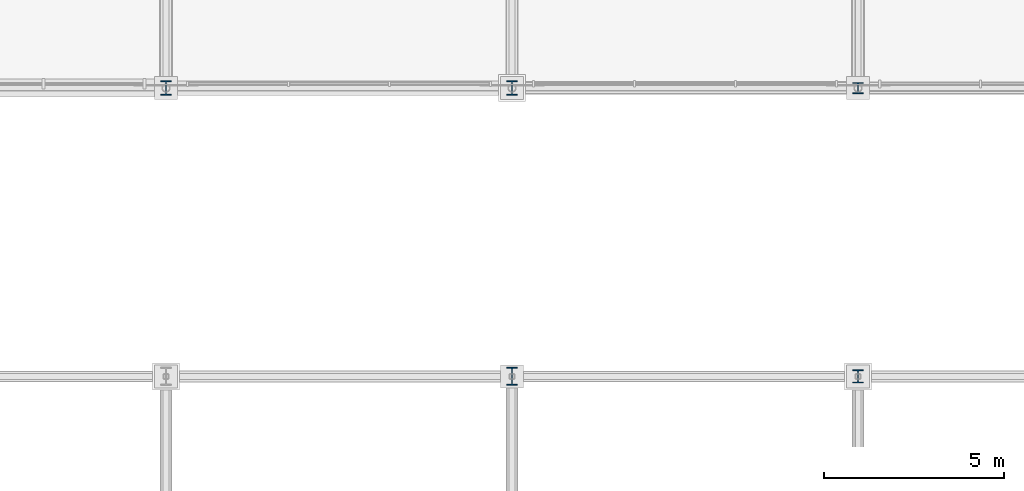
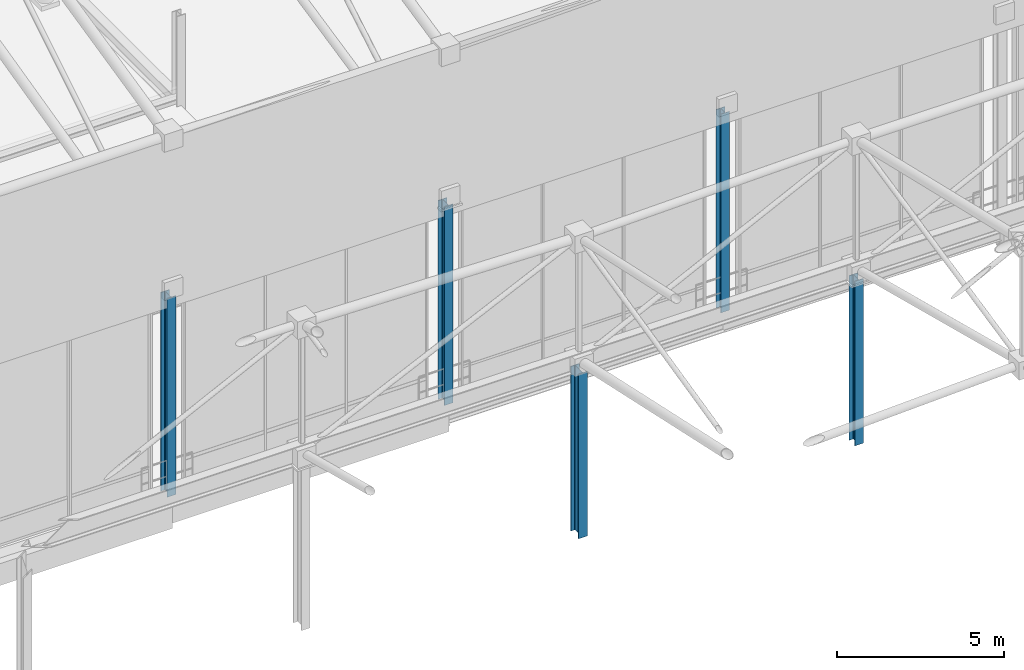
# One storey, part 16 of 193: 5 columns.
"""IFC4 building model written with IfcOpenShell, lengths in metres."""

import ifcopenshell
import ifcopenshell.guid

model = None  # the IFC model being written
_history = None  # IfcOwnerHistory: only IFC2X3 demands one
_inside = {}  # id of a spatial element -> (the spatial element, [elements in it])
_under = {}  # id of a project, library or spatial element -> (it, [spatial elements below it])
_declared = {}  # id of a project -> (the project, [libraries it declares])
_typed = {}  # id of a type object -> (the type object, [elements of that type])
_made_of = {}  # id of a material, layer set ... -> (it, [elements and type objects made of it])


def new_model(schema):
    """Start an empty IFC model of exactly this schema.

    Asked for "IFC4X3", IfcOpenShell would pick the latest addendum, in which some entities
    have other attributes; the version numbers below select the first issue.
    IFC2X3 requires an IfcOwnerHistory on every rooted entity: one is made here for all.
    """
    global model, _history
    if schema == "IFC4X3":
        model = ifcopenshell.file(schema_version=(4, 3, 0, 0))
    else:
        model = ifcopenshell.file(schema=schema)
    _inside.clear()
    _under.clear()
    _declared.clear()
    _typed.clear()
    _made_of.clear()
    _history = None
    if model.schema == "IFC2X3":
        org = make("IfcOrganization", Name="unknown")
        user = make(
            "IfcPersonAndOrganization",
            ThePerson=make("IfcPerson", FamilyName="unknown"),
            TheOrganization=org,
        )
        app = make(
            "IfcApplication",
            ApplicationDeveloper=org,
            Version="unknown",
            ApplicationFullName="unknown",
            ApplicationIdentifier="unknown",
        )
        _history = make(
            "IfcOwnerHistory",
            OwningUser=user,
            OwningApplication=app,
            ChangeAction="ADDED",
            CreationDate=0,
        )
    return model


def make(cls, **values):
    """One entity of the class cls with the attributes given. An attribute that is None is left unset."""
    return model.create_entity(
        cls, **{name: value for name, value in values.items() if value is not None}
    )


def rooted(cls, **values):
    """An entity with a GlobalId (a new one), such as an element, a storey or a relation."""
    return make(cls, GlobalId=ifcopenshell.guid.new(), OwnerHistory=_history, **values)


def si_unit(unit_type, name, prefix=None):
    """IfcSIUnit, for example si_unit("LENGTHUNIT", "METRE", prefix="MILLI")."""
    return make("IfcSIUnit", UnitType=unit_type, Prefix=prefix, Name=name)


def assignment(units):
    """IfcUnitAssignment: the units of a project."""
    return None if units is None else make("IfcUnitAssignment", Units=units)


def point(xyz):
    """IfcCartesianPoint."""
    return None if xyz is None else make("IfcCartesianPoint", Coordinates=xyz)


def direction(xyz):
    """IfcDirection."""
    return None if xyz is None else make("IfcDirection", DirectionRatios=xyz)


def frame(location, z_axis=None, x_axis=None):
    """IfcAxis2Placement3D, a coordinate frame: its origin and axes. An axis left out is left unset."""
    return make(
        "IfcAxis2Placement3D",
        Location=point(location),
        Axis=direction(z_axis),
        RefDirection=direction(x_axis),
    )


def frame_2d(location, x_axis=None):
    """IfcAxis2Placement2D, a coordinate frame in the plane: its origin and x axis."""
    return make(
        "IfcAxis2Placement2D", Location=point(location), RefDirection=direction(x_axis)
    )


def origin():
    """The frame at (0, 0, 0) with its axes left unset."""
    return frame((0.0, 0.0, 0.0))


def origin_2d():
    """The frame at (0, 0) in the plane with its x axis left unset."""
    return frame_2d((0.0, 0.0))


def place(relative_to, where):
    """IfcLocalPlacement: puts the frame where relative to a parent placement (None: the world)."""
    return make(
        "IfcLocalPlacement", PlacementRelTo=relative_to, RelativePlacement=where
    )


def context(
    kind, dimensions, precision=None, world=None, true_north=None, identifier=None
):
    """IfcGeometricRepresentationContext, for example the 3D "Model" context."""
    return make(
        "IfcGeometricRepresentationContext",
        ContextIdentifier=identifier,
        ContextType=kind,
        CoordinateSpaceDimension=dimensions,
        Precision=precision,
        WorldCoordinateSystem=world,
        TrueNorth=true_north,
    )


def subcontext(parent, identifier, kind, view, scale=None):
    """IfcGeometricRepresentationSubContext, for example "Body" below "Model"."""
    return make(
        "IfcGeometricRepresentationSubContext",
        ContextIdentifier=identifier,
        ContextType=kind,
        ParentContext=parent,
        TargetScale=scale,
        TargetView=view,
    )


def project(units=None, contexts=None):
    """IfcProject with its units and contexts."""
    return rooted(
        "IfcProject",
        Name="project",
        RepresentationContexts=contexts,
        UnitsInContext=assignment(units),
    )


def spatial(cls, under=None, at=None, **own):
    """A site, building, storey or space (cls), placed at a placement, below another one or the project."""
    s = rooted(cls, ObjectPlacement=at, **own)
    if under is not None:
        _under.setdefault(under.id(), (under, []))[1].append(s)
    return s


def profile(cls, at=None, kind="AREA", **sizes):
    """A parametric profile (cls). Its sizes go by their IFC names, for example OverallWidth=200.0."""
    return make(cls, ProfileType=kind, Position=at, **sizes)


def i_section(**sizes):
    """IfcIShapeProfileDef."""
    return profile("IfcIShapeProfileDef", **sizes)


def extrude(swept, where, along, depth):
    """IfcExtrudedAreaSolid: the profile swept, set in the frame where, extruded along a direction by depth."""
    return make(
        "IfcExtrudedAreaSolid",
        SweptArea=swept,
        Position=where,
        ExtrudedDirection=direction(along),
        Depth=depth,
    )


def shape(context_of_items, identifier, shape_type, items):
    """IfcShapeRepresentation: the items that make up one representation, for example the "Body"."""
    return make(
        "IfcShapeRepresentation",
        ContextOfItems=context_of_items,
        RepresentationIdentifier=identifier,
        RepresentationType=shape_type,
        Items=items,
    )


def material(Name=None, Category=None):
    """IfcMaterial."""
    return make("IfcMaterial", Name=Name, Category=Category)


def material_profile(
    of_material, cross_section, Name=None, Category=None, Priority=None
):
    """IfcMaterialProfile: a cross section and its material."""
    return make(
        "IfcMaterialProfile",
        Name=Name,
        Material=of_material,
        Profile=cross_section,
        Priority=Priority,
        Category=Category,
    )


def profile_set(profiles, Name=None, composite=None):
    """IfcMaterialProfileSet."""
    return make(
        "IfcMaterialProfileSet",
        Name=Name,
        MaterialProfiles=profiles,
        CompositeProfile=composite,
    )


def made_of(thing, what):
    """Note that an element or type object is made of a material, layer set ...; save() writes the relation."""
    if what is not None:
        _made_of.setdefault(what.id(), (what, []))[1].append(thing)
    return thing


def type_object(cls, material=None, **own):
    """A type object (cls), such as IfcWallType, which elements share."""
    return made_of(rooted(cls, **own), material)


def element(
    cls,
    number,
    at=None,
    inside=None,
    cuts=None,
    type_object=None,
    material=None,
    context=None,
    identifier="Body",
    shape_type=None,
    held_by="IfcProductDefinitionShape",
    body=None,
    shapes=None,
    **own,
):
    """One element of the class cls, such as IfcWall. Its Tag is "e" and its number.

    at: its placement. inside: the storey or other place that contains it. cuts: it is an
    opening in that element (IfcRelVoidsElement). A single representation is given by context,
    identifier, shape_type and body (its items); several are given by shapes. held_by: the class
    of the entity that holds the representations. save() writes the other relations.
    """
    e = rooted(cls, Tag="e%d" % number, ObjectPlacement=at, **own)
    if body is not None:
        shapes = [shape(context, identifier, shape_type, body)]
    if shapes is not None:
        e.Representation = make(held_by, Representations=shapes)
    if inside is not None:
        _inside.setdefault(inside.id(), (inside, []))[1].append(e)
    if cuts is not None:
        rooted(
            "IfcRelVoidsElement", RelatingBuildingElement=cuts, RelatedOpeningElement=e
        )
    if type_object is not None:
        _typed.setdefault(type_object.id(), (type_object, []))[1].append(e)
    return made_of(e, material)


def aggregate(whole, parts):
    """IfcRelAggregates: a whole, such as a stair, and the parts it consists of."""
    return rooted("IfcRelAggregates", RelatingObject=whole, RelatedObjects=parts)


def save(model, path):
    """Write the relations noted so far, then the file.

    IfcRelAggregates (storeys below a building ...), IfcRelContainedInSpatialStructure (elements
    in a storey), IfcRelDefinesByType, IfcRelAssociatesMaterial and IfcRelDeclares: one each for
    every whole, place, type object, material and project.
    """
    for whole, parts in _under.values():
        aggregate(whole, parts)
    for where, things in _inside.values():
        rooted(
            "IfcRelContainedInSpatialStructure",
            RelatedElements=things,
            RelatingStructure=where,
        )
    for kind, things in _typed.values():
        rooted("IfcRelDefinesByType", RelatedObjects=things, RelatingType=kind)
    for what, things in _made_of.values():
        rooted("IfcRelAssociatesMaterial", RelatedObjects=things, RelatingMaterial=what)
    for by, libraries in _declared.values():
        rooted("IfcRelDeclares", RelatingContext=by, RelatedDefinitions=libraries)
    model.write(path)


model = new_model("IFC4")

# Units and contexts
model_context = context("Model", 3, precision=1e-05, world=origin(), true_north=direction((0.0, 1.0)))
body_context = subcontext(model_context, "Body", "Model", "MODEL_VIEW")
ifc_project = project(units=[si_unit("LENGTHUNIT", "METRE"), si_unit("AREAUNIT", "SQUARE_METRE"), si_unit("VOLUMEUNIT", "CUBIC_METRE"), si_unit("PLANEANGLEUNIT", "RADIAN"), si_unit("MASSUNIT", "GRAM", prefix="KILO")], contexts=[model_context])

# Site, building, storey
site_placement = place(None, origin())
site = spatial("IfcSite", under=ifc_project, at=site_placement, CompositionType="ELEMENT")
building_placement = place(site_placement, origin())
building = spatial("IfcBuilding", under=site, at=building_placement, Name="Danafjord Basin Convention Centre", CompositionType="ELEMENT")
storey_placement = place(building_placement, frame((0.0, 0.0, 11.39990234375)))
storey = spatial("IfcBuildingStorey", under=building, at=storey_placement, Name="L02", CompositionType="ELEMENT", Elevation=11.39990234375)

# Columns
ifc_material = material(Name="Steel S355", Category="steel")
ifc_material_profile_1 = material_profile(ifc_material, i_section(OverallWidth=0.300048828125, OverallDepth=0.300048828125, WebThickness=0.010986328125, FlangeThickness=0.01904296875, FilletRadius=0.027099609375, at=origin_2d()), Name="HEB 300")
ifc_profile_set_1 = profile_set([ifc_material_profile_1], Name="Steel S355")
column_type_1 = type_object("IfcColumnType", Name="COL-C-HEB300", PredefinedType="COLUMN", material=ifc_profile_set_1)
column_1_placement = place(storey_placement, frame((182.39990234375, 88.0, 0.0), z_axis=(0.0, 0.0, 1.0), x_axis=(1.0, 0.0, 0.0)))
element("IfcColumn", 1, at=column_1_placement, inside=storey, type_object=column_type_1, Name="L02 column C-HEB300 at (182.4, 88.0)", PredefinedType="COLUMN", context=body_context, shape_type="SweptSolid", body=[
    extrude(i_section(OverallWidth=0.300048828125, OverallDepth=0.300048828125, WebThickness=0.010986328125, FlangeThickness=0.01904296875, FilletRadius=0.027099609375, at=origin_2d()), origin(), (0.0, 0.0, 1.0), 7.27001953125),
])
ifc_material_profile_2 = material_profile(ifc_material, i_section(OverallWidth=0.300048828125, OverallDepth=0.360107421875, WebThickness=0.012451171875, FlangeThickness=0.0224609375, FilletRadius=0.027099609375, at=origin_2d()), Name="HEB 360")
ifc_profile_set_2 = profile_set([ifc_material_profile_2], Name="Steel S355")
column_type_2 = type_object("IfcColumnType", Name="COL-C-HEB360", PredefinedType="COLUMN", material=ifc_profile_set_2)
column_2_placement = place(storey_placement, frame((182.39990234375, 80.0, 0.0), z_axis=(0.0, 0.0, 1.0), x_axis=(1.0, 0.0, 0.0)))
element("IfcColumn", 2, at=column_2_placement, inside=storey, type_object=column_type_2, Name="L02 column C-HEB360 at (182.4, 80.0)", PredefinedType="COLUMN", context=body_context, shape_type="SweptSolid", body=[
    extrude(i_section(OverallWidth=0.300048828125, OverallDepth=0.360107421875, WebThickness=0.012451171875, FlangeThickness=0.0224609375, FilletRadius=0.027099609375, at=origin_2d()), origin(), (0.0, 0.0, 1.0), 6.02001953125),
])
ifc_material_profile_3 = material_profile(ifc_material, i_section(OverallWidth=0.300048828125, OverallDepth=0.39990234375, WebThickness=0.013427734375, FlangeThickness=0.02392578125, FilletRadius=0.027099609375, at=origin_2d()), Name="HEB 400")
ifc_profile_set_3 = profile_set([ifc_material_profile_3], Name="Steel S355")
column_type_3 = type_object("IfcColumnType", Name="COL-C-HEB400", PredefinedType="COLUMN", material=ifc_profile_set_3)
for number, where, z_axis, x_axis, name in (
    (3, (163.199951171875, 88.0, 0.0), (0.0, 0.0, 1.0), (1.0, 0.0, 0.0), "L02 column C-HEB400 at (163.2, 88.0)"),
    (4, (172.800048828125, 88.0, 0.0), (0.0, 0.0, 1.0), (1.0, 0.0, 0.0), "L02 column C-HEB400 at (172.8, 88.0)"),
):
    element("IfcColumn", number, at=place(storey_placement, frame(where, z_axis=z_axis, x_axis=x_axis)), inside=storey, type_object=column_type_3, Name=name, PredefinedType="COLUMN", context=body_context, shape_type="SweptSolid", body=[
        extrude(i_section(OverallWidth=0.300048828125, OverallDepth=0.39990234375, WebThickness=0.013427734375, FlangeThickness=0.02392578125, FilletRadius=0.027099609375, at=origin_2d()), origin(), (0.0, 0.0, 1.0), 7.27001953125),
    ])
ifc_material_profile_4 = material_profile(ifc_material, i_section(OverallWidth=0.300048828125, OverallDepth=0.5, WebThickness=0.014404296875, FlangeThickness=0.028076171875, FilletRadius=0.027099609375, at=origin_2d()), Name="HEB 500")
ifc_profile_set_4 = profile_set([ifc_material_profile_4], Name="Steel S355")
column_type_4 = type_object("IfcColumnType", Name="COL-C-HEB500", PredefinedType="COLUMN", material=ifc_profile_set_4)
column_3_placement = place(storey_placement, frame((172.800048828125, 80.0, 0.0), z_axis=(0.0, 0.0, 1.0), x_axis=(1.0, 0.0, 0.0)))
element("IfcColumn", 5, at=column_3_placement, inside=storey, type_object=column_type_4, Name="L02 column C-HEB500 at (172.8, 80.0)", PredefinedType="COLUMN", context=body_context, shape_type="SweptSolid", body=[
    extrude(i_section(OverallWidth=0.300048828125, OverallDepth=0.5, WebThickness=0.014404296875, FlangeThickness=0.028076171875, FilletRadius=0.027099609375, at=origin_2d()), origin(), (0.0, 0.0, 1.0), 6.02001953125),
])

save(model, "model.ifc")
